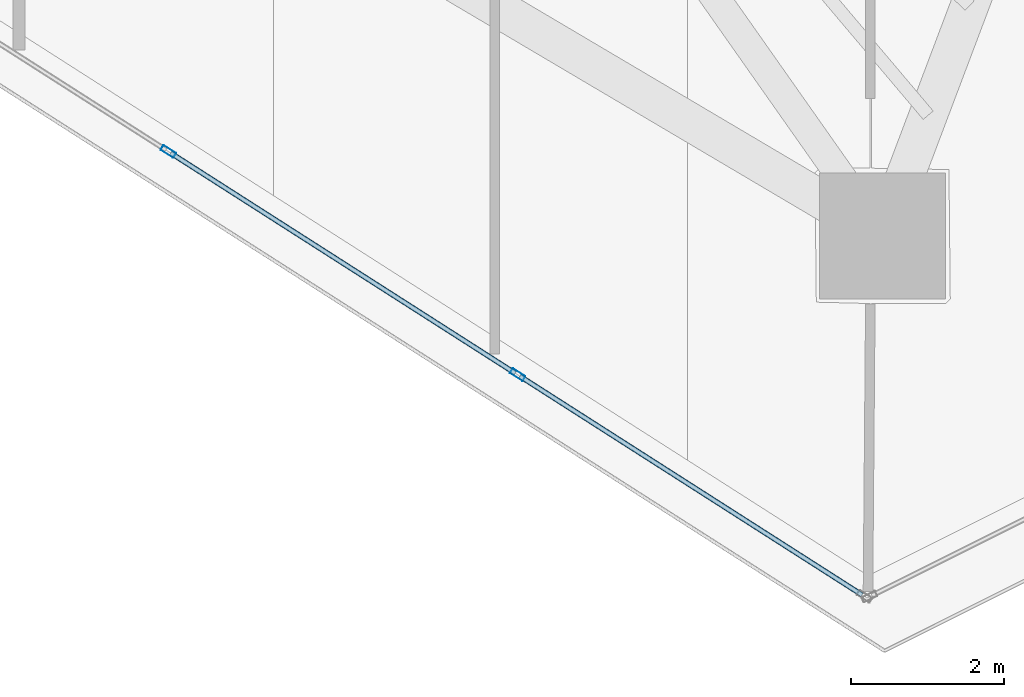
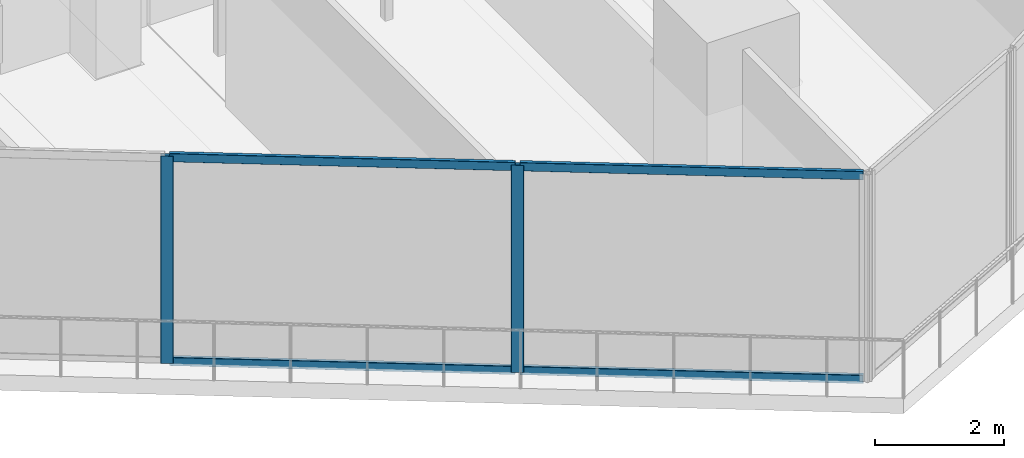
# One storey, part 3 of 33: 6 members, 1 element without a shape of its own.
"""IFC4 building model written with IfcOpenShell, lengths in metres."""

from ifc_helpers import new_model, si_unit, direction, frame, origin, origin_2d, place, context, subcontext, project, spatial, hollow_rectangle, extrude, material, layer, layer_set, material_profile, profile_set, type_object, element, aggregate, save


model = new_model("IFC4")

# Units and contexts
model_context = context("Model", 3, precision=1e-05, world=origin(), true_north=direction((0.0, 1.0)))
body_context = subcontext(model_context, "Body", "Model", "MODEL_VIEW")
ifc_project = project(units=[si_unit("LENGTHUNIT", "METRE"), si_unit("AREAUNIT", "SQUARE_METRE"), si_unit("VOLUMEUNIT", "CUBIC_METRE"), si_unit("PLANEANGLEUNIT", "RADIAN"), si_unit("MASSUNIT", "GRAM", prefix="KILO")], contexts=[model_context])

# Site, building, storey
site_placement = place(None, origin())
site = spatial("IfcSite", under=ifc_project, at=site_placement, CompositionType="ELEMENT")
building_placement = place(site_placement, origin())
building = spatial("IfcBuilding", under=site, at=building_placement, Name="Qorvath Tower", CompositionType="ELEMENT")
storey_placement = place(building_placement, frame((0.0, 0.0, 280.800048828125)))
storey = spatial("IfcBuildingStorey", under=building, at=storey_placement, Name="L65", CompositionType="ELEMENT", Elevation=280.800048828125)

# Curtain wall, members
ifc_material_1 = material(Name="Anodised aluminium and triple low-E glass", Category="aluminium")
ifc_layer = layer(ifc_material_1, 0.179931640625)
ifc_layer_set = layer_set([ifc_layer], Name="CW-SYS-4")
curtain_wall_type = type_object("IfcCurtainWallType", Name="CW-SYS-4", PredefinedType="NOTDEFINED", material=ifc_layer_set)
curtain_wall_placement = place(storey_placement, origin())
curtain_wall = element("IfcCurtainWall", 1, at=curtain_wall_placement, inside=storey, type_object=curtain_wall_type, Name="Curtain Wall CW-4 CW-T-L65-2.2", PredefinedType="NOTDEFINED")
ifc_material_2 = material(Name="Anodised aluminium 6063-T6", Category="aluminium")
ifc_material_profile_1 = material_profile(ifc_material_2, hollow_rectangle(XDim=0.074951171875, YDim=0.199951171875, WallThickness=0.00390625, InnerFilletRadius=0.00390625, OuterFilletRadius=0.008056640625, at=origin_2d()), Name="CWM 200x75")
ifc_profile_set_1 = profile_set([ifc_material_profile_1], Name="Anodised aluminium 6063-T6")
member_type_1 = type_object("IfcMemberType", Name="CWM-200", PredefinedType="MULLION", material=ifc_profile_set_1)
member_1_placement = place(storey_placement, frame((-26.857666015625, -18.998046875, 0.0), z_axis=(0.0, 0.0, 1.0), x_axis=(0.53853689025, 0.842601933204, 0.0)))
member_1 = element("IfcMember", 2, at=member_1_placement, type_object=member_type_1, Name="CW-4 mullion 3", PredefinedType="MULLION", context=body_context, shape_type="SweptSolid", body=[
    extrude(hollow_rectangle(XDim=0.074951171875, YDim=0.199951171875, WallThickness=0.00390625, InnerFilletRadius=0.00390625, OuterFilletRadius=0.008056640625, at=origin_2d()), origin(), (0.0, 0.0, 1.0), 3.909912109375),
])
member_2_placement = place(storey_placement, frame((-22.2890625, -21.91796875, 0.0), z_axis=(0.0, 0.0, 1.0), x_axis=(0.53853689025, 0.842601933204, 0.0)))
member_2 = element("IfcMember", 3, at=member_2_placement, type_object=member_type_1, Name="CW-4 mullion 4", PredefinedType="MULLION", context=body_context, shape_type="SweptSolid", body=[
    extrude(hollow_rectangle(XDim=0.074951171875, YDim=0.199951171875, WallThickness=0.00390625, InnerFilletRadius=0.00390625, OuterFilletRadius=0.008056640625, at=origin_2d()), origin(), (0.0, 0.0, 1.0), 3.909912109375),
])
ifc_material_3 = material(Name="Anodised aluminium 6063-T6", Category="aluminium")
ifc_material_profile_2 = material_profile(ifc_material_3, hollow_rectangle(XDim=0.06494140625, YDim=0.159912109375, WallThickness=0.00341796875, InnerFilletRadius=0.00341796875, OuterFilletRadius=0.007080078125, at=origin_2d()), Name="CWT 160x65")
ifc_profile_set_2 = profile_set([ifc_material_profile_2], Name="Anodised aluminium 6063-T6")
member_type_2 = type_object("IfcMemberType", Name="CWT-160", PredefinedType="USERDEFINED", material=ifc_profile_set_2)
member_3_placement = place(storey_placement, frame((-26.826171875, -19.018310546875, 0.032470703125), z_axis=(0.84259381797, -0.538549587242, 0.0), x_axis=(0.538549587242, 0.84259381797, 0.0)))
member_3 = element("IfcMember", 4, at=member_3_placement, type_object=member_type_2, Name="CW-4 transom 3.1", ObjectType="TRANSOM", PredefinedType="USERDEFINED", context=body_context, shape_type="SweptSolid", body=[
    extrude(hollow_rectangle(XDim=0.06494140625, YDim=0.159912109375, WallThickness=0.00341796875, InnerFilletRadius=0.00341796875, OuterFilletRadius=0.007080078125, at=origin_2d()), origin(), (0.0, 0.0, 1.0), 5.346923828125),
])
member_4_placement = place(storey_placement, frame((-26.826171875, -19.018310546875, 3.87744140625), z_axis=(0.84259381797, -0.538549587242, 0.0), x_axis=(0.538549587242, 0.84259381797, 0.0)))
member_4 = element("IfcMember", 5, at=member_4_placement, type_object=member_type_2, Name="CW-4 transom 3.2", ObjectType="TRANSOM", PredefinedType="USERDEFINED", context=body_context, shape_type="SweptSolid", body=[
    extrude(hollow_rectangle(XDim=0.06494140625, YDim=0.159912109375, WallThickness=0.00341796875, InnerFilletRadius=0.00341796875, OuterFilletRadius=0.007080078125, at=origin_2d()), origin(), (0.0, 0.0, 1.0), 5.346923828125),
])
member_5_placement = place(storey_placement, frame((-22.257568359375, -21.938232421875, 0.032470703125), z_axis=(0.842591931944, -0.538552538034, 0.0), x_axis=(0.538552538034, 0.842591931944, 0.0)))
member_5 = element("IfcMember", 6, at=member_5_placement, type_object=member_type_2, Name="CW-4 transom 4.1", ObjectType="TRANSOM", PredefinedType="USERDEFINED", context=body_context, shape_type="SweptSolid", body=[
    extrude(hollow_rectangle(XDim=0.06494140625, YDim=0.159912109375, WallThickness=0.00341796875, InnerFilletRadius=0.00341796875, OuterFilletRadius=0.007080078125, at=origin_2d()), origin(), (0.0, 0.0, 1.0), 5.309326171875),
])
member_6_placement = place(storey_placement, frame((-22.257568359375, -21.938232421875, 3.87744140625), z_axis=(0.842591931944, -0.538552538034, 0.0), x_axis=(0.538552538034, 0.842591931944, 0.0)))
member_6 = element("IfcMember", 7, at=member_6_placement, type_object=member_type_2, Name="CW-4 transom 4.2", ObjectType="TRANSOM", PredefinedType="USERDEFINED", context=body_context, shape_type="SweptSolid", body=[
    extrude(hollow_rectangle(XDim=0.06494140625, YDim=0.159912109375, WallThickness=0.00341796875, InnerFilletRadius=0.00341796875, OuterFilletRadius=0.007080078125, at=origin_2d()), origin(), (0.0, 0.0, 1.0), 5.309326171875),
])
aggregate(curtain_wall, [member_1, member_2, member_3, member_4, member_5, member_6])

save(model, "model.ifc")
